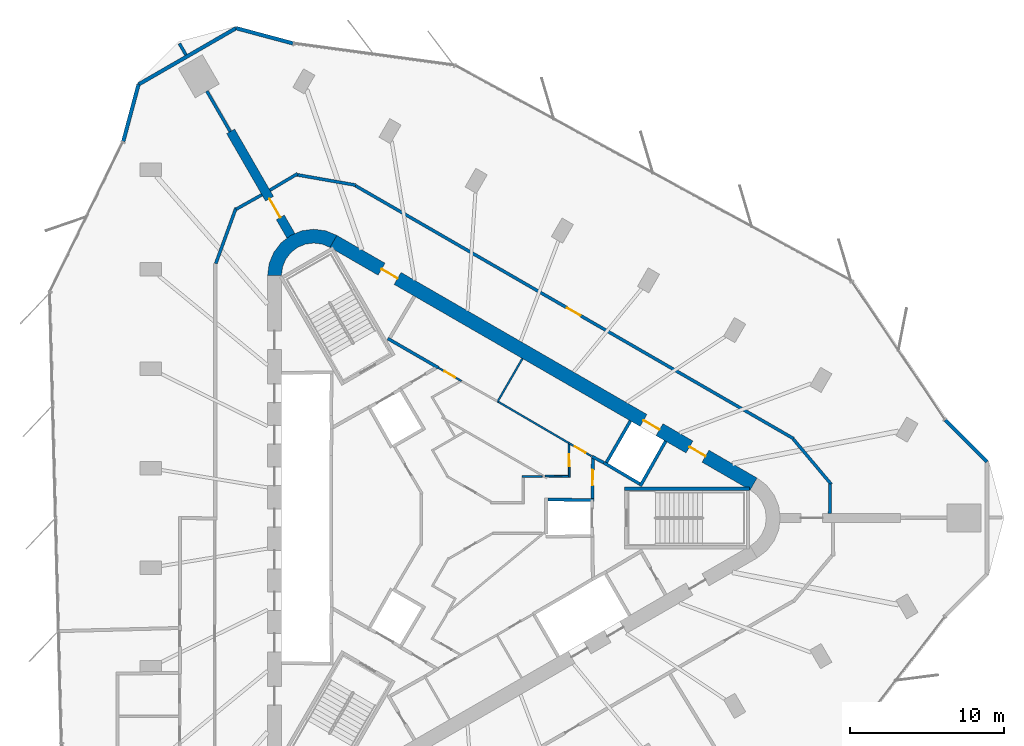
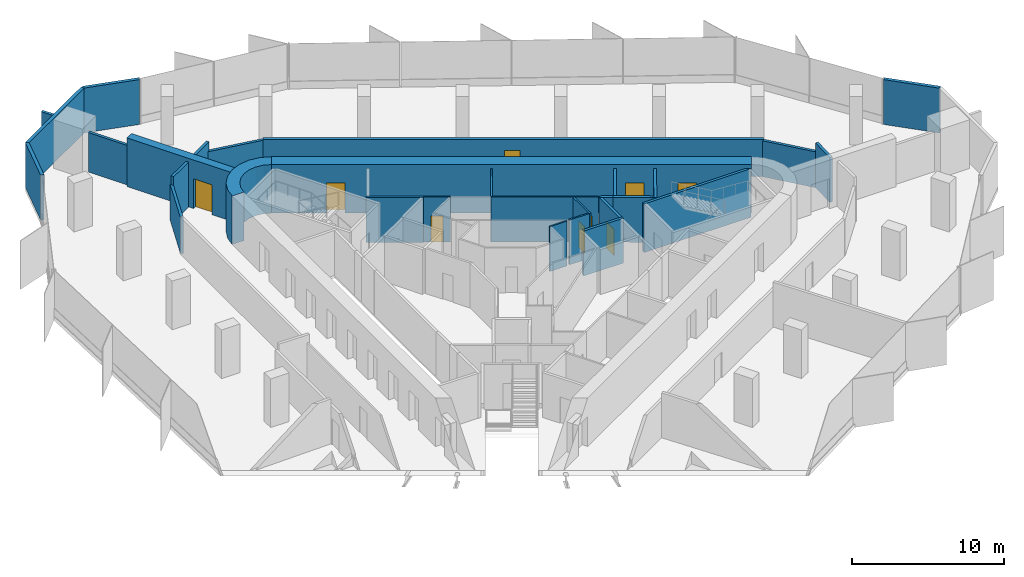
# One storey, part 10 of 12: 31 walls, 9 doors, 9 openings.
"""IFC4 building model written with IfcOpenShell, lengths in metres."""

from ifc_helpers import new_model, si_unit, direction, frame, frame_2d, origin, place, context, subcontext, project, spatial, polyline, rectangle, outline, extrude, material, layer, layer_set, type_object, element, fill, save


model = new_model("IFC4")

# Units and contexts
model_context = context("Model", 3, precision=1e-05, world=origin(), true_north=direction((0.0, 1.0)))
body_context = subcontext(model_context, "Body", "Model", "MODEL_VIEW")
ifc_project = project(units=[si_unit("LENGTHUNIT", "METRE"), si_unit("AREAUNIT", "SQUARE_METRE"), si_unit("VOLUMEUNIT", "CUBIC_METRE"), si_unit("PLANEANGLEUNIT", "RADIAN"), si_unit("MASSUNIT", "GRAM", prefix="KILO")], contexts=[model_context])

# Site, building, storey
site_placement = place(None, origin())
site = spatial("IfcSite", under=ifc_project, at=site_placement, CompositionType="ELEMENT")
building_placement = place(site_placement, origin())
building = spatial("IfcBuilding", under=site, at=building_placement, Name="Tanit Gate Tower", CompositionType="ELEMENT")
storey_placement = place(building_placement, frame((0.0, 0.0, 349.39990234375)))
storey = spatial("IfcBuildingStorey", under=building, at=storey_placement, Name="L79", CompositionType="ELEMENT", Elevation=349.39990234375)

# Wall, opening, door
ifc_material_1 = material(Name="Concrete C40/50", Category="concrete")
ifc_layer_1 = layer(ifc_material_1, 0.60009765625)
ifc_layer_set_1 = layer_set([ifc_layer_1], Name="BUTTRESS FIN 600 C40/50")
wall_type_1 = type_object("IfcWallType", Name="BUTTRESS FIN 600 C40/50", PredefinedType="SHEAR", material=ifc_layer_set_1)
wall_1_placement = place(storey_placement, frame((-10.574951171875, 18.31640625, 0.0), z_axis=(0.0, 0.0, 1.0), x_axis=(-0.500010354293, 0.866019425648, 0.0)))
wall_1 = element("IfcWall", 1, at=wall_1_placement, inside=storey, type_object=wall_type_1, Name="BUTTRESS FIN", PredefinedType="SHEAR", context=body_context, shape_type="SweptSolid", body=[
    extrude(rectangle(XDim=7.854248046875, YDim=0.60009765625, at=frame_2d((3.92724609375, 0.0))), origin(), (0.0, 0.0, 1.0), 3.900146484375),
])
opening_1_placement = place(wall_1_placement, frame((1.39990234375, 0.0, 0.0)))
opening_1 = element("IfcOpeningElement", 2, at=opening_1_placement, cuts=wall_1, Name="Opening P14-S22-F-NW-1", PredefinedType="OPENING", context=body_context, shape_type="SweptSolid", body=[
    extrude(rectangle(XDim=1.39990234375, YDim=2.39990234375, at=frame_2d((0.699951171875, 1.199951171875))), frame((0.0, 0.31005859375, 0.0), z_axis=(0.0, -1.0, 0.0), x_axis=(1.0, 0.0, 0.0)), (0.0, 0.0, 1.0), 0.6201171875),
])
ifc_material_2 = material(Name="Timber door leaf", Category="wood")
door_type_1 = type_object("IfcDoorType", Name="INT-DOOR-FIN-PAIR-1400", OperationType="NOTDEFINED", PredefinedType="NOTDEFINED", material=ifc_material_2)
door_1_placement = place(opening_1_placement, origin())
door_1 = element("IfcDoor", 3, at=door_1_placement, inside=storey, type_object=door_type_1, Name="Door P14-S22-F-NW-1", OperationType="DOUBLE_DOOR_SINGLE_SWING", OverallHeight=2.39990234375, OverallWidth=1.39990234375, PredefinedType="NOTDEFINED", context=body_context, shape_type="SweptSolid", body=[
    extrude(rectangle(XDim=1.39990234375, YDim=2.39990234375, at=frame_2d((0.699951171875, 1.199951171875))), frame((0.0, 0.02490234375, 0.0), z_axis=(0.0, -1.0, 0.0), x_axis=(1.0, 0.0, 0.0)), (0.0, 0.0, 1.0), 0.050048828125),
])
fill(opening_1, door_1)

# Wall, openings, doors
ifc_material_3 = material(Name="Concrete C40/50", Category="concrete")
ifc_layer_2 = layer(ifc_material_3, 0.89990234375)
ifc_layer_set_2 = layer_set([ifc_layer_2], Name="CORE WALL 900 C40/50")
wall_type_2 = type_object("IfcWallType", Name="CORE WALL 900 C40/50", PredefinedType="SHEAR", material=ifc_layer_set_2)
wall_2_placement = place(storey_placement, frame((19.47509765625, 2.20849609375, 0.0), z_axis=(0.0, 0.0, 1.0), x_axis=(-0.866028369851, 0.499994862586, 0.0)))
wall_2 = element("IfcWall", 4, at=wall_2_placement, inside=storey, type_object=wall_type_2, Name="CORE WALL", PredefinedType="SHEAR", context=body_context, shape_type="SweptSolid", body=[
    extrude(rectangle(XDim=31.523193359375, YDim=0.89990234375, at=frame_2d((15.76171875, 0.0))), origin(), (0.0, 0.0, 1.0), 3.900146484375),
])
opening_2_placement = place(wall_2_placement, frame((7.0615234375, 0.0, 0.0)))
opening_2 = element("IfcOpeningElement", 5, at=opening_2_placement, cuts=wall_2, Name="Opening LDHL8-S22", PredefinedType="OPENING", context=body_context, shape_type="SweptSolid", body=[
    extrude(rectangle(XDim=1.199951171875, YDim=2.39990234375, at=frame_2d((0.60009765625, 1.199951171875))), frame((0.0, 0.4599609375, 0.0), z_axis=(0.0, -1.0, 0.0), x_axis=(1.0, 0.0, 0.0)), (0.0, 0.0, 1.0), 0.919921875),
])
opening_3_placement = place(wall_2_placement, frame((3.611572265625, 0.0, 0.0)))
opening_3 = element("IfcOpeningElement", 6, at=opening_3_placement, cuts=wall_2, Name="Opening F12-S22-FL1", PredefinedType="OPENING", context=body_context, shape_type="SweptSolid", body=[
    extrude(rectangle(XDim=1.199951171875, YDim=2.39990234375, at=frame_2d((0.60009765625, 1.199951171875))), frame((0.0, 0.4599609375, 0.0), z_axis=(0.0, -1.0, 0.0), x_axis=(1.0, 0.0, 0.0)), (0.0, 0.0, 1.0), 0.919921875),
])
opening_4_placement = place(wall_2_placement, frame((26.711669921875, 0.0, 0.0)))
opening_4 = element("IfcOpeningElement", 7, at=opening_4_placement, cuts=wall_2, Name="Opening F12-S22-S2", PredefinedType="OPENING", context=body_context, shape_type="SweptSolid", body=[
    extrude(rectangle(XDim=1.199951171875, YDim=2.39990234375, at=frame_2d((0.60009765625, 1.199951171875))), frame((0.0, 0.4599609375, 0.0), z_axis=(0.0, -1.0, 0.0), x_axis=(1.0, 0.0, 0.0)), (0.0, 0.0, 1.0), 0.919921875),
])
ifc_material_4 = material(Name="Fire-rated steel door leaf", Category="steel")
door_type_2 = type_object("IfcDoorType", Name="INT-DOOR-FIRE-LOBBY-1200", OperationType="NOTDEFINED", PredefinedType="USERDEFINED", material=ifc_material_4)
door_2_placement = place(opening_3_placement, origin())
door_2 = element("IfcDoor", 8, at=door_2_placement, inside=storey, type_object=door_type_2, Name="Door F12-S22-FL1", ObjectType="FIRE DOOR", OperationType="SINGLE_SWING_LEFT", OverallHeight=2.39990234375, OverallWidth=1.199951171875, PredefinedType="USERDEFINED", context=body_context, shape_type="SweptSolid", body=[
    extrude(rectangle(XDim=1.199951171875, YDim=2.39990234375, at=frame_2d((0.60009765625, 1.199951171875))), frame((0.0, 0.02490234375, 0.0), z_axis=(0.0, -1.0, 0.0), x_axis=(1.0, 0.0, 0.0)), (0.0, 0.0, 1.0), 0.050048828125),
])
fill(opening_3, door_2)
door_3_placement = place(opening_4_placement, origin())
door_3 = element("IfcDoor", 9, at=door_3_placement, inside=storey, type_object=door_type_2, Name="Door F12-S22-S2", ObjectType="FIRE DOOR", OperationType="SINGLE_SWING_LEFT", OverallHeight=2.39990234375, OverallWidth=1.199951171875, PredefinedType="USERDEFINED", context=body_context, shape_type="SweptSolid", body=[
    extrude(rectangle(XDim=1.199951171875, YDim=2.39990234375, at=frame_2d((0.60009765625, 1.199951171875))), frame((0.0, 0.02490234375, 0.0), z_axis=(0.0, -1.0, 0.0), x_axis=(1.0, 0.0, 0.0)), (0.0, 0.0, 1.0), 0.050048828125),
])
fill(opening_4, door_3)
ifc_material_5 = material(Name="Stainless steel sliding door leaf", Category="steel")
door_type_3 = type_object("IfcDoorType", Name="INT-DOOR-LANDING-1200", OperationType="NOTDEFINED", PredefinedType="USERDEFINED", material=ifc_material_5)
door_4_placement = place(opening_2_placement, origin())
door_4 = element("IfcDoor", 10, at=door_4_placement, inside=storey, type_object=door_type_3, Name="Door LDHL8-S22", ObjectType="LANDING DOOR", OperationType="SLIDING_TO_LEFT", OverallHeight=2.39990234375, OverallWidth=1.199951171875, PredefinedType="USERDEFINED", context=body_context, shape_type="SweptSolid", body=[
    extrude(rectangle(XDim=1.199951171875, YDim=2.39990234375, at=frame_2d((0.60009765625, 1.199951171875))), frame((0.0, 0.02490234375, 0.0), z_axis=(0.0, -1.0, 0.0), x_axis=(1.0, 0.0, 0.0)), (0.0, 0.0, 1.0), 0.050048828125),
])
fill(opening_2, door_4)

# Walls
wall_3_placement = place(storey_placement, origin())
element("IfcWall", 11, at=wall_3_placement, inside=storey, type_object=wall_type_2, Name="CORE WALL CORNER", PredefinedType="SHEAR", context=body_context, shape_type="SweptSolid", body=[
    extrude(outline(polyline([(-7.60009765625, 18.359619140625), (-8.323486328125, 18.659423828125), (-9.10009765625, 18.76171875), (-9.87646484375, 18.659423828125), (-10.60009765625, 18.359619140625), (-11.22119140625, 17.883056640625), (-11.697998046875, 17.26171875), (-11.997802734375, 16.5380859375), (-12.10009765625, 15.76171875), (-11.199951171875, 15.76171875), (-11.12841796875, 16.30517578125), (-10.918701171875, 16.811767578125), (-10.5849609375, 17.24658203125), (-10.14990234375, 17.580322265625), (-9.6435546875, 17.7900390625), (-9.10009765625, 17.86181640625), (-8.556396484375, 17.7900390625), (-8.050048828125, 17.580322265625), (-7.60009765625, 18.359619140625)])), origin(), (0.0, 0.0, 1.0), 3.900146484375),
])
ifc_material_6 = material(Name="Concrete C30/37 with bronze anodised aluminium cladding", Category="concrete")
ifc_layer_3 = layer(ifc_material_6, 0.239990234375)
ifc_layer_set_3 = layer_set([ifc_layer_3], Name="Facade wall bronze clad 240")
wall_type_3 = type_object("IfcWallType", Name="Facade wall bronze clad 240", PredefinedType="SOLIDWALL", material=ifc_layer_set_3)
wall_4_placement = place(storey_placement, frame((-10.44921875, 30.833251953125, 0.0), z_axis=(0.0, 0.0, 1.0), x_axis=(-0.965924142325, 0.25882532966, 0.0)))
element("IfcWall", 12, at=wall_4_placement, inside=storey, type_object=wall_type_3, Name="Bronze-clad facade wall L79 NW.arc1", PredefinedType="SOLIDWALL", context=body_context, shape_type="SweptSolid", body=[
    extrude(rectangle(XDim=3.82861328125, YDim=0.239990234375, at=frame_2d((1.914306640625, 0.0))), origin(), (0.0, 0.0, 1.0), 3.60009765625),
])
wall_5_placement = place(storey_placement, frame((-14.1474609375, 31.82421875, 0.0), z_axis=(0.0, 0.0, 1.0), x_axis=(-0.86603229387, -0.499988065832, 0.0)))
element("IfcWall", 13, at=wall_5_placement, inside=storey, type_object=wall_type_3, Name="Bronze-clad facade wall L79 NW.arc2", PredefinedType="SOLIDWALL", context=body_context, shape_type="SweptSolid", body=[
    extrude(rectangle(XDim=7.320068359375, YDim=0.239990234375, at=frame_2d((3.66015625, 0.0))), origin(), (0.0, 0.0, 1.0), 3.60009765625),
])
for number, where, z_axis, x_axis, name in (
    (14, (-20.48681640625, 28.164306640625, 0.0), (0.0, 0.0, 1.0), (-0.258808255004, -0.965928717423, 0.0), "Bronze-clad facade wall L79 NW.arc3"),
    (15, (34.63427734375, 3.659912109375, 0.0), (0.0, 0.0, 1.0), (-0.707106781187, 0.707106781187, 0.0), "Bronze-clad facade wall L79 E.arc3"),
):
    element("IfcWall", number, at=place(storey_placement, frame(where, z_axis=z_axis, x_axis=x_axis)), inside=storey, type_object=wall_type_3, Name=name, PredefinedType="SOLIDWALL", context=body_context, shape_type="SweptSolid", body=[
        extrude(rectangle(XDim=3.832763671875, YDim=0.239990234375, at=frame_2d((1.91650390625, 0.0))), origin(), (0.0, 0.0, 1.0), 3.60009765625),
    ])
ifc_material_7 = material(Name="Fire-rated gypsum board partition")
ifc_layer_4 = layer(ifc_material_7, 0.199951171875)
ifc_layer_set_4 = layer_set([ifc_layer_4], Name="INT-WALL-COMPARTMENT")
wall_type_4 = type_object("IfcWallType", Name="INT-WALL-COMPARTMENT", PredefinedType="PARTITIONING", material=ifc_layer_set_4)
wall_6_placement = place(storey_placement, frame((8.97412109375, 3.998779296875, 0.0), z_axis=(0.0, 0.0, 1.0), x_axis=(0.880917147855, -0.473270513147, 0.0)))
element("IfcWall", 16, at=wall_6_placement, inside=storey, type_object=wall_type_4, Name="Wall Compartment W045", PredefinedType="PARTITIONING", context=body_context, shape_type="SweptSolid", body=[
    extrude(rectangle(XDim=0.8779296875, YDim=0.199951171875, at=frame_2d((0.43896484375, 0.0))), origin(), (0.0, 0.0, 1.0), 3.60009765625),
])
wall_7_placement = place(storey_placement, frame((-4.295654296875, 11.659912109375, 0.0), z_axis=(0.0, 0.0, 1.0), x_axis=(0.866027389382, -0.499996560828, 0.0)))
element("IfcWall", 17, at=wall_7_placement, inside=storey, type_object=wall_type_4, Name="Wall Compartment W048", PredefinedType="PARTITIONING", context=body_context, shape_type="SweptSolid", body=[
    extrude(rectangle(XDim=3.77783203125, YDim=0.199951171875, at=frame_2d((1.888916015625, 0.0))), origin(), (0.0, 0.0, 1.0), 3.60009765625),
])

# Wall, opening, door
wall_8_placement = place(storey_placement, frame((9.0009765625, 1.27001953125, 0.0), z_axis=(0.0, 0.0, 1.0), x_axis=(0.010723968736, 0.999942496594, 0.0)))
wall_8 = element("IfcWall", 18, at=wall_8_placement, inside=storey, type_object=wall_type_4, Name="Wall Compartment W063", PredefinedType="PARTITIONING", context=body_context, shape_type="SweptSolid", body=[
    extrude(rectangle(XDim=2.709228515625, YDim=0.199951171875, at=frame_2d((1.3544921875, 0.0))), origin(), (0.0, 0.0, 1.0), 3.60009765625),
])
opening_5_placement = place(wall_8_placement, frame((0.848388671875, 0.0, 0.0)))
opening_5 = element("IfcOpeningElement", 19, at=opening_5_placement, cuts=wall_8, Name="Opening F10-S22-02", PredefinedType="OPENING", context=body_context, shape_type="SweptSolid", body=[
    extrude(rectangle(XDim=1.0, YDim=2.10009765625, at=frame_2d((0.5, 1.050048828125))), frame((0.0, 0.10986328125, 0.0), z_axis=(0.0, -1.0, 0.0), x_axis=(1.0, 0.0, 0.0)), (0.0, 0.0, 1.0), 0.219970703125),
])
ifc_material_8 = material(Name="Fire-rated steel door leaf", Category="steel")
door_type_4 = type_object("IfcDoorType", Name="INT-DOOR-FIRE-1000", OperationType="NOTDEFINED", PredefinedType="USERDEFINED", material=ifc_material_8)
door_5_placement = place(opening_5_placement, origin())
door_5 = element("IfcDoor", 20, at=door_5_placement, inside=storey, type_object=door_type_4, Name="Door F10-S22-02", ObjectType="FIRE DOOR", OperationType="SINGLE_SWING_RIGHT", OverallHeight=2.10009765625, OverallWidth=1.0, PredefinedType="USERDEFINED", context=body_context, shape_type="SweptSolid", body=[
    extrude(rectangle(XDim=1.0, YDim=2.10009765625, at=frame_2d((0.5, 1.050048828125))), frame((0.0, 0.02490234375, 0.0), z_axis=(0.0, -1.0, 0.0), x_axis=(1.0, 0.0, 0.0)), (0.0, 0.0, 1.0), 0.050048828125),
])
fill(opening_5, door_5)

# Walls
wall_9_placement = place(storey_placement, frame((-14.15234375, 20.143310546875, 0.0), z_axis=(0.0, 0.0, 1.0), x_axis=(-0.342008467257, -0.939696870445, 0.0)))
element("IfcWall", 21, at=wall_9_placement, inside=storey, type_object=wall_type_4, Name="Wall Compartment W103", PredefinedType="PARTITIONING", context=body_context, shape_type="SweptSolid", body=[
    extrude(rectangle(XDim=3.840576171875, YDim=0.199951171875, at=frame_2d((1.92041015625, 0.0))), origin(), (0.0, 0.0, 1.0), 2.880126953125),
])
wall_10_placement = place(storey_placement, frame((-12.469970703125, 20.99853515625, 0.0), z_axis=(0.0, 0.0, 1.0), x_axis=(-0.872542788959, -0.488537697046, 0.0)))
element("IfcWall", 22, at=wall_10_placement, inside=storey, type_object=wall_type_4, Name="Wall Compartment W104", PredefinedType="PARTITIONING", context=body_context, shape_type="SweptSolid", body=[
    extrude(rectangle(XDim=1.924560546875, YDim=0.199951171875, at=frame_2d((0.96240234375, 0.0))), origin(), (0.0, 0.0, 1.0), 3.60009765625),
])
wall_11_placement = place(storey_placement, frame((-10.154541015625, 22.3671875, 0.0), z_axis=(0.0, 0.0, 1.0), x_axis=(-0.859343009577, -0.511399640097, 0.0)))
element("IfcWall", 23, at=wall_11_placement, inside=storey, type_object=wall_type_4, Name="Wall Compartment W105", PredefinedType="PARTITIONING", context=body_context, shape_type="SweptSolid", body=[
    extrude(rectangle(XDim=2.089599609375, YDim=0.199951171875, at=frame_2d((1.044921875, 0.0))), origin(), (0.0, 0.0, 1.0), 3.60009765625),
])
wall_12_placement = place(storey_placement, frame((-6.389404296875, 21.626220703125, 0.0), z_axis=(0.0, 0.0, 1.0), x_axis=(-0.984802578286, 0.173677522442, 0.0)))
element("IfcWall", 24, at=wall_12_placement, inside=storey, type_object=wall_type_4, Name="Wall Compartment W106", PredefinedType="PARTITIONING", context=body_context, shape_type="SweptSolid", body=[
    extrude(rectangle(XDim=3.87548828125, YDim=0.199951171875, at=frame_2d((1.937744140625, 0.0))), origin(), (0.0, 0.0, 1.0), 2.880126953125),
])

# Wall, opening, door
wall_13_placement = place(storey_placement, frame((22.074462890625, 5.153076171875, 0.0), z_axis=(0.0, 0.0, 1.0), x_axis=(-0.866023485483, 0.500003322581, 0.0)))
wall_13 = element("IfcWall", 25, at=wall_13_placement, inside=storey, type_object=wall_type_4, Name="Wall Compartment W107", PredefinedType="PARTITIONING", context=body_context, shape_type="SweptSolid", body=[
    extrude(rectangle(XDim=32.881103515625, YDim=0.199951171875, at=frame_2d((16.4404296875, 0.0))), origin(), (0.0, 0.0, 1.0), 2.97021484375),
])
opening_6_placement = place(wall_13_placement, frame((15.990478515625, 0.0, 0.0)))
opening_6 = element("IfcOpeningElement", 26, at=opening_6_placement, cuts=wall_13, Name="Opening F10-S22-28", PredefinedType="OPENING", context=body_context, shape_type="SweptSolid", body=[
    extrude(rectangle(XDim=1.0, YDim=2.10009765625, at=frame_2d((0.5, 1.050048828125))), frame((0.0, 0.10986328125, 0.0), z_axis=(0.0, -1.0, 0.0), x_axis=(1.0, 0.0, 0.0)), (0.0, 0.0, 1.0), 0.219970703125),
])
door_6_placement = place(opening_6_placement, origin())
door_6 = element("IfcDoor", 27, at=door_6_placement, inside=storey, type_object=door_type_4, Name="Door F10-S22-28", ObjectType="FIRE DOOR", OperationType="SINGLE_SWING_LEFT", OverallHeight=2.10009765625, OverallWidth=1.0, PredefinedType="USERDEFINED", context=body_context, shape_type="SweptSolid", body=[
    extrude(rectangle(XDim=1.0, YDim=2.10009765625, at=frame_2d((0.5, 1.050048828125))), frame((0.0, 0.02490234375, 0.0), z_axis=(0.0, -1.0, 0.0), x_axis=(1.0, 0.0, 0.0)), (0.0, 0.0, 1.0), 0.050048828125),
])
fill(opening_6, door_6)

# Walls
wall_14_placement = place(storey_placement, frame((24.520751953125, 2.1845703125, 0.0), z_axis=(0.0, 0.0, 1.0), x_axis=(-0.642781993054, 0.766049155998, 0.0)))
element("IfcWall", 28, at=wall_14_placement, inside=storey, type_object=wall_type_4, Name="Wall Compartment W108", PredefinedType="PARTITIONING", context=body_context, shape_type="SweptSolid", body=[
    extrude(rectangle(XDim=3.84033203125, YDim=0.199951171875, at=frame_2d((1.920166015625, 0.0))), origin(), (0.0, 0.0, 1.0), 2.880126953125),
])
wall_15_placement = place(storey_placement, frame((24.420166015625, 0.300048828125, 0.0), z_axis=(0.0, 0.0, 1.0), x_axis=(0.013193472226, 0.999912962358, 0.0)))
element("IfcWall", 29, at=wall_15_placement, inside=storey, type_object=wall_type_4, Name="Wall Compartment W109", PredefinedType="PARTITIONING", context=body_context, shape_type="SweptSolid", body=[
    extrude(rectangle(XDim=1.924560546875, YDim=0.199951171875, at=frame_2d((0.96240234375, 0.0))), origin(), (0.0, 0.0, 1.0), 3.60009765625),
])
wall_16_placement = place(storey_placement, frame((-17.82958984375, 30.821533203125, 0.0), z_axis=(0.0, 0.0, 1.0), x_axis=(0.500234662275, -0.86588987906, 0.0)))
element("IfcWall", 30, at=wall_16_placement, inside=storey, type_object=wall_type_4, Name="Wall Compartment W129", PredefinedType="PARTITIONING", context=body_context, shape_type="SweptSolid", body=[
    extrude(rectangle(XDim=0.8525390625, YDim=0.199951171875, at=frame_2d((0.42626953125, 0.0))), origin(), (0.0, 0.0, 1.0), 3.60009765625),
])
wall_17_placement = place(storey_placement, frame((-16.045654296875, 27.73193359375, 0.0), z_axis=(0.0, 0.0, 1.0), x_axis=(0.500014901547, -0.866016800201, 0.0)))
element("IfcWall", 31, at=wall_17_placement, inside=storey, type_object=wall_type_4, Name="Wall Compartment W130", PredefinedType="PARTITIONING", context=body_context, shape_type="SweptSolid", body=[
    extrude(rectangle(XDim=3.03515625, YDim=0.199951171875, at=frame_2d((1.517578125, 0.0))), origin(), (0.0, 0.0, 1.0), 3.170166015625),
])
ifc_material_9 = material(Name="Gypsum board partition")
ifc_layer_5 = layer(ifc_material_9, 0.1201171875)
ifc_layer_set_5 = layer_set([ifc_layer_5], Name="INT-WALL-PARTITION")
wall_type_5 = type_object("IfcWallType", Name="INT-WALL-PARTITION", PredefinedType="PARTITIONING", material=ifc_layer_set_5)
wall_18_placement = place(storey_placement, frame((4.456787109375, 10.359375, 0.0), z_axis=(0.0, 0.0, 1.0), x_axis=(-0.500017246033, -0.866015446554, 0.0)))
element("IfcWall", 32, at=wall_18_placement, inside=storey, type_object=wall_type_5, Name="Wall Partition W044", PredefinedType="PARTITIONING", context=body_context, shape_type="SweptSolid", body=[
    extrude(rectangle(XDim=3.25, YDim=0.1201171875, at=frame_2d((1.625, 0.0))), origin(), (0.0, 0.0, 1.0), 3.60009765625),
])
wall_19_placement = place(storey_placement, frame((2.82080078125, 7.5859375, 0.0), z_axis=(0.0, 0.0, 1.0), x_axis=(0.863262357411, -0.504755487615, 0.0)))
element("IfcWall", 33, at=wall_19_placement, inside=storey, type_object=wall_type_5, Name="Wall Partition W046", PredefinedType="PARTITIONING", context=body_context, shape_type="SweptSolid", body=[
    extrude(rectangle(XDim=5.370361328125, YDim=0.1201171875, at=frame_2d((2.68505859375, 0.0))), origin(), (0.0, 0.0, 1.0), 3.60009765625),
])

# Wall, opening, door
wall_20_placement = place(storey_placement, frame((-1.02392578125, 9.77099609375, 0.0), z_axis=(0.0, 0.0, 1.0), x_axis=(0.866039397417, -0.499975761534, 0.0)))
wall_20 = element("IfcWall", 34, at=wall_20_placement, inside=storey, type_object=wall_type_5, Name="Wall Partition W051", PredefinedType="PARTITIONING", context=body_context, shape_type="SweptSolid", body=[
    extrude(rectangle(XDim=1.751953125, YDim=0.1201171875, at=frame_2d((0.8759765625, 0.0))), origin(), (0.0, 0.0, 1.0), 3.60009765625),
])
opening_7_placement = place(wall_20_placement, frame((0.4658203125, 0.0, 0.0)))
opening_7 = element("IfcOpeningElement", 35, at=opening_7_placement, cuts=wall_20, Name="Opening R08-S22-16", PredefinedType="OPENING", context=body_context, shape_type="SweptSolid", body=[
    extrude(rectangle(XDim=0.800048828125, YDim=2.10009765625, at=frame_2d((0.39990234375, 1.050048828125))), frame((0.0, 0.070068359375, 0.0), z_axis=(0.0, -1.0, 0.0), x_axis=(1.0, 0.0, 0.0)), (0.0, 0.0, 1.0), 0.14013671875),
])
ifc_material_10 = material(Name="Timber door leaf", Category="wood")
door_type_5 = type_object("IfcDoorType", Name="INT-DOOR-RISER-800", OperationType="NOTDEFINED", PredefinedType="USERDEFINED", material=ifc_material_10)
door_7_placement = place(opening_7_placement, origin())
door_7 = element("IfcDoor", 36, at=door_7_placement, inside=storey, type_object=door_type_5, Name="Door R08-S22-16", ObjectType="FIRE DOOR", OperationType="SINGLE_SWING_LEFT", OverallHeight=2.10009765625, OverallWidth=0.800048828125, PredefinedType="USERDEFINED", context=body_context, shape_type="SweptSolid", body=[
    extrude(rectangle(XDim=0.800048828125, YDim=2.10009765625, at=frame_2d((0.39990234375, 1.050048828125))), frame((0.0, 0.02490234375, 0.0), z_axis=(0.0, -1.0, 0.0), x_axis=(1.0, 0.0, 0.0)), (0.0, 0.0, 1.0), 0.050048828125),
])
fill(opening_7, door_7)

wall_21_placement = place(storey_placement, frame((7.45654296875, 4.874755859375, 0.0), z_axis=(0.0, 0.0, 1.0), x_axis=(0.866027945518, -0.499995597562, 0.0)))
wall_21 = element("IfcWall", 37, at=wall_21_placement, inside=storey, type_object=wall_type_5, Name="Wall Partition W047", PredefinedType="PARTITIONING", context=body_context, shape_type="SweptSolid", body=[
    extrude(rectangle(XDim=1.7021484375, YDim=0.1201171875, at=frame_2d((0.85107421875, 0.0))), origin(), (0.0, 0.0, 1.0), 3.60009765625),
])
opening_8_placement = place(wall_21_placement, frame((0.461181640625, 0.0, 0.0)))
opening_8 = element("IfcOpeningElement", 38, at=opening_8_placement, cuts=wall_21, Name="Opening R08-S22-15", PredefinedType="OPENING", context=body_context, shape_type="SweptSolid", body=[
    extrude(rectangle(XDim=0.800048828125, YDim=2.10009765625, at=frame_2d((0.39990234375, 1.050048828125))), frame((0.0, 0.070068359375, 0.0), z_axis=(0.0, -1.0, 0.0), x_axis=(1.0, 0.0, 0.0)), (0.0, 0.0, 1.0), 0.14013671875),
])
door_8_placement = place(opening_8_placement, origin())
door_8 = element("IfcDoor", 39, at=door_8_placement, inside=storey, type_object=door_type_5, Name="Door R08-S22-15", ObjectType="FIRE DOOR", OperationType="SINGLE_SWING_LEFT", OverallHeight=2.10009765625, OverallWidth=0.800048828125, PredefinedType="USERDEFINED", context=body_context, shape_type="SweptSolid", body=[
    extrude(rectangle(XDim=0.800048828125, YDim=2.10009765625, at=frame_2d((0.39990234375, 1.050048828125))), frame((0.0, 0.02490234375, 0.0), z_axis=(0.0, -1.0, 0.0), x_axis=(1.0, 0.0, 0.0)), (0.0, 0.0, 1.0), 0.050048828125),
])
fill(opening_8, door_8)

# Wall
wall_22_placement = place(storey_placement, frame((4.43994140625, 2.699951171875, 0.0), z_axis=(0.0, 0.0, 1.0), x_axis=(1.0, 0.0, 0.0)))
element("IfcWall", 40, at=wall_22_placement, inside=storey, type_object=wall_type_5, Name="Wall Partition W080", PredefinedType="PARTITIONING", context=body_context, shape_type="SweptSolid", body=[
    extrude(rectangle(XDim=1.301513671875, YDim=0.1201171875, at=frame_2d((0.65087890625, 0.0))), origin(), (0.0, 0.0, 1.0), 3.60009765625),
])

# Wall, opening, door
wall_23_placement = place(storey_placement, frame((7.500732421875, 2.639892578125, 0.0), z_axis=(0.0, 0.0, 1.0), x_axis=(-0.01178388431, 0.999930567625, 0.0)))
wall_23 = element("IfcWall", 41, at=wall_23_placement, inside=storey, type_object=wall_type_5, Name="Wall Partition W089", PredefinedType="PARTITIONING", context=body_context, shape_type="SweptSolid", body=[
    extrude(rectangle(XDim=2.15478515625, YDim=0.1201171875, at=frame_2d((1.077392578125, 0.0))), origin(), (0.0, 0.0, 1.0), 3.60009765625),
])
opening_9_placement = place(wall_23_placement, frame((0.707275390625, 0.0, 0.0)))
opening_9 = element("IfcOpeningElement", 42, at=opening_9_placement, cuts=wall_23, Name="Opening R08-S22-14", PredefinedType="OPENING", context=body_context, shape_type="SweptSolid", body=[
    extrude(rectangle(XDim=0.800048828125, YDim=2.10009765625, at=frame_2d((0.39990234375, 1.050048828125))), frame((0.0, 0.070068359375, 0.0), z_axis=(0.0, -1.0, 0.0), x_axis=(1.0, 0.0, 0.0)), (0.0, 0.0, 1.0), 0.14013671875),
])
door_9_placement = place(opening_9_placement, origin())
door_9 = element("IfcDoor", 43, at=door_9_placement, inside=storey, type_object=door_type_5, Name="Door R08-S22-14", ObjectType="FIRE DOOR", OperationType="SINGLE_SWING_RIGHT", OverallHeight=2.10009765625, OverallWidth=0.800048828125, PredefinedType="USERDEFINED", context=body_context, shape_type="SweptSolid", body=[
    extrude(rectangle(XDim=0.800048828125, YDim=2.10009765625, at=frame_2d((0.39990234375, 1.050048828125))), frame((0.0, 0.02490234375, 0.0), z_axis=(0.0, -1.0, 0.0), x_axis=(1.0, 0.0, 0.0)), (0.0, 0.0, 1.0), 0.050048828125),
])
fill(opening_9, door_9)

# Walls
wall_24_placement = place(storey_placement, frame((5.93408203125, 2.727294921875, 0.0), z_axis=(0.0, 0.0, 1.0), x_axis=(0.999846739959, -0.017507044085, 0.0)))
element("IfcWall", 44, at=wall_24_placement, inside=storey, type_object=wall_type_5, Name="Wall Partition W090", PredefinedType="PARTITIONING", context=body_context, shape_type="SweptSolid", body=[
    extrude(rectangle(XDim=1.506103515625, YDim=0.1201171875, at=frame_2d((0.7529296875, 0.0))), origin(), (0.0, 0.0, 1.0), 3.60009765625),
])
ifc_material_11 = material(Name="Gypsum shaft wall system")
ifc_layer_6 = layer(ifc_material_11, 0.199951171875)
ifc_layer_set_6 = layer_set([ifc_layer_6], Name="INT-WALL-SHAFT")
wall_type_6 = type_object("IfcWallType", Name="INT-WALL-SHAFT", PredefinedType="PLUMBINGWALL", material=ifc_layer_set_6)
wall_25_placement = place(storey_placement, frame((9.8466796875, 3.494873046875, 0.0), z_axis=(0.0, 0.0, 1.0), x_axis=(0.499984717929, 0.866034226713, 0.0)))
element("IfcWall", 45, at=wall_25_placement, inside=storey, type_object=wall_type_6, Name="Wall Shaft W012", PredefinedType="PLUMBINGWALL", context=body_context, shape_type="SweptSolid", body=[
    extrude(rectangle(XDim=3.25, YDim=0.199951171875, at=frame_2d((1.625, 0.0))), origin(), (0.0, 0.0, 1.0), 3.60009765625),
])
wall_26_placement = place(storey_placement, frame((12.10986328125, 2.07275390625, 0.0), z_axis=(0.0, 0.0, 1.0), x_axis=(0.49196600604, 0.870614408852, 0.0)))
element("IfcWall", 46, at=wall_26_placement, inside=storey, type_object=wall_type_6, Name="Wall Shaft W013", PredefinedType="PLUMBINGWALL", context=body_context, shape_type="SweptSolid", body=[
    extrude(rectangle(XDim=3.35009765625, YDim=0.199951171875, at=frame_2d((1.675048828125, 0.0))), origin(), (0.0, 0.0, 1.0), 3.60009765625),
])
wall_27_placement = place(storey_placement, frame((12.072998046875, 2.2109375, 0.0), z_axis=(0.0, 0.0, 1.0), x_axis=(-0.860414880418, 0.509594185166, 0.0)))
element("IfcWall", 47, at=wall_27_placement, inside=storey, type_object=wall_type_6, Name="Wall Shaft W014", PredefinedType="PLUMBINGWALL", context=body_context, shape_type="SweptSolid", body=[
    extrude(rectangle(XDim=2.7001953125, YDim=0.199951171875, at=frame_2d((1.35009765625, 0.0))), origin(), (0.0, 0.0, 1.0), 3.60009765625),
])
wall_28_placement = place(storey_placement, frame((9.10009765625, 1.1689453125, 0.0), z_axis=(0.0, 0.0, 1.0), x_axis=(-0.99994990606, 0.010009264196, 0.0)))
element("IfcWall", 48, at=wall_28_placement, inside=storey, type_object=wall_type_6, Name="Wall Shaft W027", PredefinedType="PLUMBINGWALL", context=body_context, shape_type="SweptSolid", body=[
    extrude(rectangle(XDim=3.000244140625, YDim=0.199951171875, at=frame_2d((1.5, 0.0))), origin(), (0.0, 0.0, 1.0), 3.60009765625),
])
ifc_material_12 = material(Name="Concrete C40/50", Category="concrete")
ifc_layer_7 = layer(ifc_material_12, 0.199951171875)
ifc_layer_set_7 = layer_set([ifc_layer_7], Name="INT-WALL-STAIR")
wall_type_7 = type_object("IfcWallType", Name="INT-WALL-STAIR", PredefinedType="SHEAR", material=ifc_layer_set_7)
wall_29_placement = place(storey_placement, frame((19.199951171875, 1.89990234375, -0.2998046875), z_axis=(0.0, 0.0, 1.0), x_axis=(-1.0, 0.0, 0.0)))
element("IfcWall", 49, at=wall_29_placement, inside=storey, type_object=wall_type_7, Name="Wall Stair W020", PredefinedType="SHEAR", context=body_context, shape_type="SweptSolid", body=[
    extrude(rectangle(XDim=8.099853515625, YDim=0.199951171875, at=frame_2d((4.0498046875, 0.0))), origin(), (0.0, 0.0, 1.0), 3.89990234375),
])

save(model, "model.ifc")
